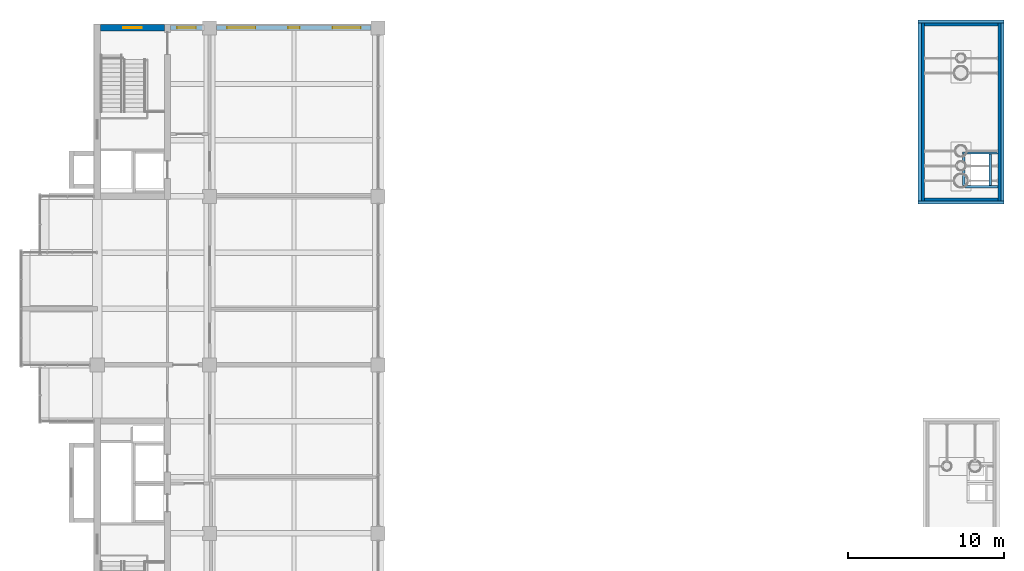
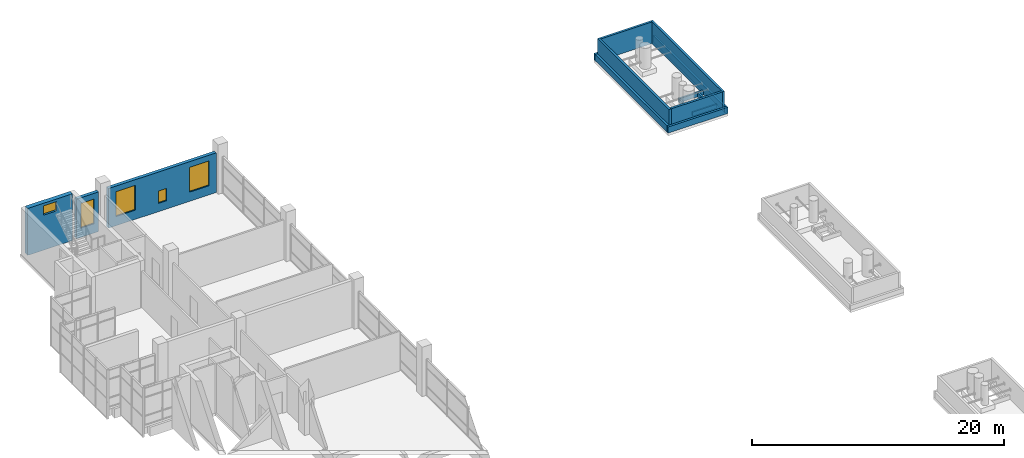
# One storey, part 17 of 22: 15 walls, 5 windows, 5 openings.
"""IFC4 building model written with IfcOpenShell, lengths in metres."""

from ifc_helpers import new_model, si_unit, direction, frame, frame_2d, origin, place, context, subcontext, project, spatial, rectangle, extrude, material, layer, layer_set, type_object, element, fill, save


model = new_model("IFC4")

# Units and contexts
model_context = context("Model", 3, precision=1e-05, world=origin(), true_north=direction((0.0, 1.0)))
body_context = subcontext(model_context, "Body", "Model", "MODEL_VIEW")
ifc_project = project(units=[si_unit("LENGTHUNIT", "METRE"), si_unit("AREAUNIT", "SQUARE_METRE"), si_unit("VOLUMEUNIT", "CUBIC_METRE"), si_unit("PLANEANGLEUNIT", "RADIAN"), si_unit("MASSUNIT", "GRAM", prefix="KILO")], contexts=[model_context])

# Site, building, storey
site_placement = place(None, origin())
site = spatial("IfcSite", under=ifc_project, at=site_placement, CompositionType="ELEMENT")
building_placement = place(site_placement, origin())
building = spatial("IfcBuilding", under=site, at=building_placement, Name="Basin Gate Institute", CompositionType="ELEMENT")
storey_placement = place(building_placement, frame((0.0, 0.0, 51.0)))
storey = spatial("IfcBuildingStorey", under=building, at=storey_placement, Name="L10", CompositionType="ELEMENT", Elevation=51.0)

# Walls
ifc_material_1 = material(Name="Insulated aluminium louvre panel", Category="aluminium")
ifc_layer_1 = layer(ifc_material_1, 0.199951171875)
ifc_layer_set_1 = layer_set([ifc_layer_1], Name="Exhaust enclosure panel XS1")
wall_type_1 = type_object("IfcWallType", Name="Exhaust enclosure panel XS1", PredefinedType="SOLIDWALL", material=ifc_layer_set_1)
for number, where, z_axis, x_axis, name in (
    (1, (119.0, 88.800048828125, 0.25), (0.0, 0.0, 1.0), (0.0, 1.0, 0.0), "Exhaust enclosure panel XS1 EN E"),
    (2, (114.10009765625, 88.800048828125, 0.25), (0.0, 0.0, 1.0), (0.0, 1.0, 0.0), "Exhaust enclosure panel XS1 EN W"),
):
    element("IfcWall", number, at=place(storey_placement, frame(where, z_axis=z_axis, x_axis=x_axis)), inside=storey, type_object=wall_type_1, material=ifc_layer_set_1, Name=name, PredefinedType="SOLIDWALL", context=body_context, shape_type="SweptSolid", body=[
        extrude(rectangle(XDim=11.39990234375, YDim=0.199951171875, at=frame_2d((5.699951171875, 0.0))), origin(), (0.0, 0.0, 1.0), 2.10009765625),
    ])
for number, where, z_axis, x_axis, name in (
    (3, (114.199951171875, 100.10009765625, 0.25), (0.0, 0.0, 1.0), (1.0, 0.0, 0.0), "Exhaust enclosure panel XS1 EN N"),
    (4, (114.199951171875, 88.89990234375, 0.25), (0.0, 0.0, 1.0), (1.0, 0.0, 0.0), "Exhaust enclosure panel XS1 EN S"),
):
    element("IfcWall", number, at=place(storey_placement, frame(where, z_axis=z_axis, x_axis=x_axis)), inside=storey, type_object=wall_type_1, material=ifc_layer_set_1, Name=name, PredefinedType="SOLIDWALL", context=body_context, shape_type="SweptSolid", body=[
        extrude(rectangle(XDim=4.699951171875, YDim=0.199951171875, at=frame_2d((2.35009765625, 0.0))), origin(), (0.0, 0.0, 1.0), 2.10009765625),
    ])

# Wall, opening, window
ifc_material_2 = material(Name="Aluminium-faced insulated panel wall", Category="aluminium")
ifc_layer_2 = layer(ifc_material_2, 0.300048828125)
ifc_layer_set_2 = layer_set([ifc_layer_2], Name="External wall EW1 EI 120")
wall_type_2 = type_object("IfcWallType", Name="External wall EW1 EI 120", PredefinedType="STANDARD", material=ifc_layer_set_2)
wall_1_placement = place(storey_placement, frame((65.89990234375, 99.89990234375, 0.0), z_axis=(0.0, 0.0, 1.0), x_axis=(1.0, 0.0, 0.0)))
wall_1 = element("IfcWall", 5, at=wall_1_placement, inside=storey, type_object=wall_type_2, material=ifc_layer_set_2, Name="External end wall W wing north L10 1", PredefinedType="STANDARD", context=body_context, shape_type="SweptSolid", body=[
    extrude(rectangle(XDim=2.050048828125, YDim=0.300048828125, at=frame_2d((1.02490234375, 0.0))), origin(), (0.0, 0.0, 1.0), 3.85009765625),
])
opening_1_placement = place(wall_1_placement, frame((0.425048828125, 0.0, 0.89990234375)))
opening_1 = element("IfcOpeningElement", 6, at=opening_1_placement, cuts=wall_1, Name="Opening WN4", PredefinedType="OPENING", context=body_context, shape_type="SweptSolid", body=[
    extrude(rectangle(XDim=1.199951171875, YDim=2.39990234375, at=frame_2d((0.60009765625, 1.199951171875))), frame((0.0, 0.16015625, 0.0), z_axis=(0.0, -1.0, 0.0), x_axis=(1.0, 0.0, 0.0)), (0.0, 0.0, 1.0), 0.320068359375),
])
ifc_material_3 = material(Name="Aluminium-framed double glazing", Category="aluminium")
window_type_1 = type_object("IfcWindowType", Name="Corridor end window WN4", PartitioningType="SINGLE_PANEL", PredefinedType="WINDOW", material=ifc_material_3)
window_1_placement = place(opening_1_placement, origin())
window_1 = element("IfcWindow", 7, at=window_1_placement, inside=storey, type_object=window_type_1, material=ifc_material_3, Name="Corridor end window W wing N L10", OverallHeight=2.39990234375, OverallWidth=1.199951171875, PartitioningType="SINGLE_PANEL", PredefinedType="WINDOW", context=body_context, shape_type="SweptSolid", body=[
    extrude(rectangle(XDim=1.199951171875, YDim=2.39990234375, at=frame_2d((0.60009765625, 1.199951171875))), frame((0.0, 0.030029296875, 0.0), z_axis=(0.0, -1.0, 0.0), x_axis=(1.0, 0.0, 0.0)), (0.0, 0.0, 1.0), 0.06005859375),
])
fill(opening_1, window_1)

# Wall, openings, windows
wall_2_placement = place(storey_placement, frame((68.85009765625, 99.89990234375, 0.0), z_axis=(0.0, 0.0, 1.0), x_axis=(1.0, 0.0, 0.0)))
wall_2 = element("IfcWall", 8, at=wall_2_placement, inside=storey, type_object=wall_type_2, material=ifc_layer_set_2, Name="External end wall W wing north L10 2", PredefinedType="STANDARD", context=body_context, shape_type="SweptSolid", body=[
    extrude(rectangle(XDim=9.89990234375, YDim=0.300048828125, at=frame_2d((4.949951171875, 0.0))), origin(), (0.0, 0.0, 1.0), 3.85009765625),
])
opening_2_placement = place(wall_2_placement, frame((0.675048828125, 0.0, 0.89990234375)))
opening_2 = element("IfcOpeningElement", 9, at=opening_2_placement, cuts=wall_2, Name="Opening WN1", PredefinedType="OPENING", context=body_context, shape_type="SweptSolid", body=[
    extrude(rectangle(XDim=1.800048828125, YDim=2.39990234375, at=frame_2d((0.89990234375, 1.199951171875))), frame((0.0, 0.16015625, 0.0), z_axis=(0.0, -1.0, 0.0), x_axis=(1.0, 0.0, 0.0)), (0.0, 0.0, 1.0), 0.320068359375),
])
opening_3_placement = place(wall_2_placement, frame((4.574951171875, 0.0, 0.800048828125)))
opening_3 = element("IfcOpeningElement", 10, at=opening_3_placement, cuts=wall_2, Name="Opening WN3", PredefinedType="OPENING", context=body_context, shape_type="SweptSolid", body=[
    extrude(rectangle(XDim=0.75, YDim=1.199951171875, at=frame_2d((0.375, 0.60009765625))), frame((0.0, 0.16015625, 0.0), z_axis=(0.0, -1.0, 0.0), x_axis=(1.0, 0.0, 0.0)), (0.0, 0.0, 1.0), 0.320068359375),
])
opening_4_placement = place(wall_2_placement, frame((7.425048828125, 0.0, 0.89990234375)))
opening_4 = element("IfcOpeningElement", 11, at=opening_4_placement, cuts=wall_2, Name="Opening WN1", PredefinedType="OPENING", context=body_context, shape_type="SweptSolid", body=[
    extrude(rectangle(XDim=1.800048828125, YDim=2.39990234375, at=frame_2d((0.89990234375, 1.199951171875))), frame((0.0, 0.16015625, 0.0), z_axis=(0.0, -1.0, 0.0), x_axis=(1.0, 0.0, 0.0)), (0.0, 0.0, 1.0), 0.320068359375),
])
ifc_material_4 = material(Name="Aluminium-framed double glazing", Category="aluminium")
window_type_2 = type_object("IfcWindowType", Name="Emergency entry panel WN3", PartitioningType="SINGLE_PANEL", PredefinedType="WINDOW", material=ifc_material_4)
window_2_placement = place(opening_3_placement, origin())
window_2 = element("IfcWindow", 12, at=window_2_placement, inside=storey, type_object=window_type_2, material=ifc_material_4, Name="Emergency entry panel W wing end N L10 bay 2", OverallHeight=1.199951171875, OverallWidth=0.75, PartitioningType="SINGLE_PANEL", PredefinedType="WINDOW", context=body_context, shape_type="SweptSolid", body=[
    extrude(rectangle(XDim=0.75, YDim=1.199951171875, at=frame_2d((0.375, 0.60009765625))), frame((0.0, 0.030029296875, 0.0), z_axis=(0.0, -1.0, 0.0), x_axis=(1.0, 0.0, 0.0)), (0.0, 0.0, 1.0), 0.06005859375),
])
fill(opening_3, window_2)
ifc_material_5 = material(Name="Aluminium-framed double glazing", Category="aluminium")
window_type_3 = type_object("IfcWindowType", Name="Facade window WN1", PartitioningType="SINGLE_PANEL", PredefinedType="WINDOW", material=ifc_material_5)
window_3_placement = place(opening_2_placement, origin())
window_3 = element("IfcWindow", 13, at=window_3_placement, inside=storey, type_object=window_type_3, material=ifc_material_5, Name="Facade window W wing end N L10 bay 1", OverallHeight=2.39990234375, OverallWidth=1.800048828125, PartitioningType="SINGLE_PANEL", PredefinedType="WINDOW", context=body_context, shape_type="SweptSolid", body=[
    extrude(rectangle(XDim=1.800048828125, YDim=2.39990234375, at=frame_2d((0.89990234375, 1.199951171875))), frame((0.0, 0.030029296875, 0.0), z_axis=(0.0, -1.0, 0.0), x_axis=(1.0, 0.0, 0.0)), (0.0, 0.0, 1.0), 0.06005859375),
])
fill(opening_2, window_3)
window_4_placement = place(opening_4_placement, origin())
window_4 = element("IfcWindow", 14, at=window_4_placement, inside=storey, type_object=window_type_3, material=ifc_material_5, Name="Facade window W wing end N L10 bay 3", OverallHeight=2.39990234375, OverallWidth=1.800048828125, PartitioningType="SINGLE_PANEL", PredefinedType="WINDOW", context=body_context, shape_type="SweptSolid", body=[
    extrude(rectangle(XDim=1.800048828125, YDim=2.39990234375, at=frame_2d((0.89990234375, 1.199951171875))), frame((0.0, 0.030029296875, 0.0), z_axis=(0.0, -1.0, 0.0), x_axis=(1.0, 0.0, 0.0)), (0.0, 0.0, 1.0), 0.06005859375),
])
fill(opening_4, window_4)

# Walls
ifc_material_6 = material(Name="Concrete 40 MPa", Category="concrete")
ifc_layer_3 = layer(ifc_material_6, 0.199951171875)
ifc_layer_set_3 = layer_set([ifc_layer_3], Name="Concrete 40 MPa")
wall_type_3 = type_object("IfcWallType", Name="Parapet wall PA2", PredefinedType="PARAPET", material=ifc_layer_set_3)
wall_3_placement = place(storey_placement, frame((119.300048828125, 88.699951171875, 0.25), z_axis=(0.0, 0.0, 1.0), x_axis=(-1.0, 0.0, 0.0)))
element("IfcWall", 15, at=wall_3_placement, inside=storey, type_object=wall_type_3, material=ifc_layer_set_3, Name="Parapet wall PA2 L10 EN1", PredefinedType="PARAPET", context=body_context, shape_type="SweptSolid", body=[
    extrude(rectangle(XDim=5.5, YDim=0.199951171875, at=frame_2d((2.75, 0.0))), origin(), (0.0, 0.0, 1.0), 0.60009765625),
])
wall_4_placement = place(storey_placement, frame((113.89990234375, 88.800048828125, 0.25), z_axis=(0.0, 0.0, 1.0), x_axis=(0.0, 1.0, 0.0)))
element("IfcWall", 16, at=wall_4_placement, inside=storey, type_object=wall_type_3, material=ifc_layer_set_3, Name="Parapet wall PA2 L10 EN2", PredefinedType="PARAPET", context=body_context, shape_type="SweptSolid", body=[
    extrude(rectangle(XDim=11.39990234375, YDim=0.199951171875, at=frame_2d((5.699951171875, 0.0))), origin(), (0.0, 0.0, 1.0), 0.60009765625),
])
wall_5_placement = place(storey_placement, frame((113.800048828125, 100.300048828125, 0.25), z_axis=(0.0, 0.0, 1.0), x_axis=(1.0, 0.0, 0.0)))
element("IfcWall", 17, at=wall_5_placement, inside=storey, type_object=wall_type_3, material=ifc_layer_set_3, Name="Parapet wall PA2 L10 EN3", PredefinedType="PARAPET", context=body_context, shape_type="SweptSolid", body=[
    extrude(rectangle(XDim=5.5, YDim=0.199951171875, at=frame_2d((2.75, 0.0))), origin(), (0.0, 0.0, 1.0), 0.60009765625),
])
wall_6_placement = place(storey_placement, frame((119.199951171875, 100.199951171875, 0.25), z_axis=(0.0, 0.0, 1.0), x_axis=(0.0, -1.0, 0.0)))
element("IfcWall", 18, at=wall_6_placement, inside=storey, type_object=wall_type_3, material=ifc_layer_set_3, Name="Parapet wall PA2 L10 EN4", PredefinedType="PARAPET", context=body_context, shape_type="SweptSolid", body=[
    extrude(rectangle(XDim=11.39990234375, YDim=0.199951171875, at=frame_2d((5.699951171875, 0.0))), origin(), (0.0, 0.0, 1.0), 0.60009765625),
])
ifc_material_7 = material(Name="Concrete 40 MPa", Category="concrete")
ifc_layer_4 = layer(ifc_material_7, 0.14990234375)
ifc_layer_set_4 = layer_set([ifc_layer_4], Name="Concrete 40 MPa")
wall_type_4 = type_object("IfcWallType", Name="Roof duct curb CU1", PredefinedType="PARAPET", material=ifc_layer_set_4)
for number, where, z_axis, x_axis, name in (
    (19, (116.64990234375, 89.72509765625, 0.25), (0.0, 0.0, 1.0), (1.0, 0.0, 0.0), "Roof duct curb CU1 EN stack"),
    (20, (116.64990234375, 91.875, 0.25), (0.0, 0.0, 1.0), (1.0, 0.0, 0.0), "Roof duct curb CU1 EN stack"),
):
    element("IfcWall", number, at=place(storey_placement, frame(where, z_axis=z_axis, x_axis=x_axis)), inside=storey, type_object=wall_type_4, material=ifc_layer_set_4, Name=name, PredefinedType="PARAPET", context=body_context, shape_type="SweptSolid", body=[
        extrude(rectangle(XDim=2.25, YDim=0.14990234375, at=frame_2d((1.125, 0.0))), origin(), (0.0, 0.0, 1.0), 0.39990234375),
    ])
for number, where, z_axis, x_axis, name in (
    (21, (116.72509765625, 89.800048828125, 0.25), (0.0, 0.0, 1.0), (0.0, 1.0, 0.0), "Roof duct curb CU1 EN stack"),
    (22, (118.425048828125, 89.800048828125, 0.25), (0.0, 0.0, 1.0), (0.0, 1.0, 0.0), "Roof duct curb CU1 EN stack"),
):
    element("IfcWall", number, at=place(storey_placement, frame(where, z_axis=z_axis, x_axis=x_axis)), inside=storey, type_object=wall_type_4, material=ifc_layer_set_4, Name=name, PredefinedType="PARAPET", context=body_context, shape_type="SweptSolid", body=[
        extrude(rectangle(XDim=2.0, YDim=0.14990234375, at=frame_2d((1.0, 0.0))), origin(), (0.0, 0.0, 1.0), 0.39990234375),
    ])

# Wall, opening, window
ifc_material_8 = material(Name="Concrete 50 MPa", Category="concrete")
ifc_layer_5 = layer(ifc_material_8, 0.39990234375)
ifc_layer_set_5 = layer_set([ifc_layer_5], Name="Concrete 50 MPa")
wall_type_5 = type_object("IfcWallType", Name="Wall SW2 R120", PredefinedType="SHEAR", material=ifc_layer_set_5)
wall_7_placement = place(storey_placement, frame((61.39990234375, 99.89990234375, 0.0), z_axis=(0.0, 0.0, 1.0), x_axis=(1.0, 0.0, 0.0)))
wall_7 = element("IfcWall", 23, at=wall_7_placement, inside=storey, type_object=wall_type_5, material=ifc_layer_set_5, Name="WALL/L10/WN/N", PredefinedType="SHEAR", context=body_context, shape_type="SweptSolid", body=[
    extrude(rectangle(XDim=4.10009765625, YDim=0.39990234375, at=frame_2d((2.050048828125, 0.0))), origin(), (0.0, 0.0, 1.0), 4.550048828125),
])
opening_5_placement = place(wall_7_placement, frame((1.449951171875, 0.0, 3.39990234375)))
opening_5 = element("IfcOpeningElement", 24, at=opening_5_placement, cuts=wall_7, Name="Opening WT2", PredefinedType="OPENING", context=body_context, shape_type="SweptSolid", body=[
    extrude(rectangle(XDim=1.199951171875, YDim=0.89990234375, at=frame_2d((0.60009765625, 0.449951171875))), frame((0.0, 0.2099609375, 0.0), z_axis=(0.0, -1.0, 0.0), x_axis=(1.0, 0.0, 0.0)), (0.0, 0.0, 1.0), 0.419921875),
])
ifc_material_9 = material(Name="Fire-resistant glazing in steel-free frame", Category="steel")
window_type_4 = type_object("IfcWindowType", Name="Rated stair window EI 120 WT2", PartitioningType="SINGLE_PANEL", PredefinedType="WINDOW", material=ifc_material_9)
window_5_placement = place(opening_5_placement, origin())
window_5 = element("IfcWindow", 25, at=window_5_placement, inside=storey, type_object=window_type_4, material=ifc_material_9, Name="Rated stair window EI 120 WN end L10", OverallHeight=0.89990234375, OverallWidth=1.199951171875, PartitioningType="SINGLE_PANEL", PredefinedType="WINDOW", context=body_context, shape_type="SweptSolid", body=[
    extrude(rectangle(XDim=1.199951171875, YDim=0.89990234375, at=frame_2d((0.60009765625, 0.449951171875))), frame((0.0, 0.030029296875, 0.0), z_axis=(0.0, -1.0, 0.0), x_axis=(1.0, 0.0, 0.0)), (0.0, 0.0, 1.0), 0.06005859375),
])
fill(opening_5, window_5)

save(model, "model.ifc")
